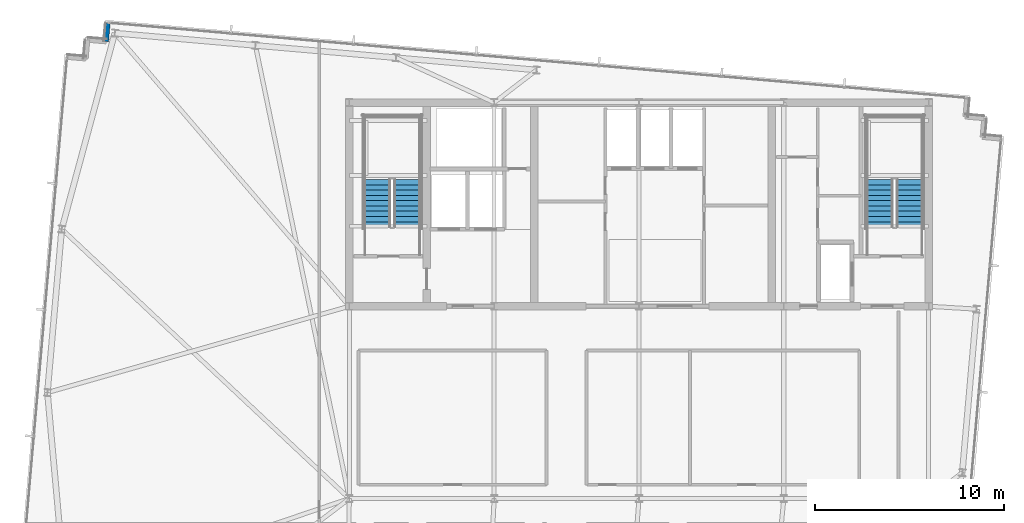
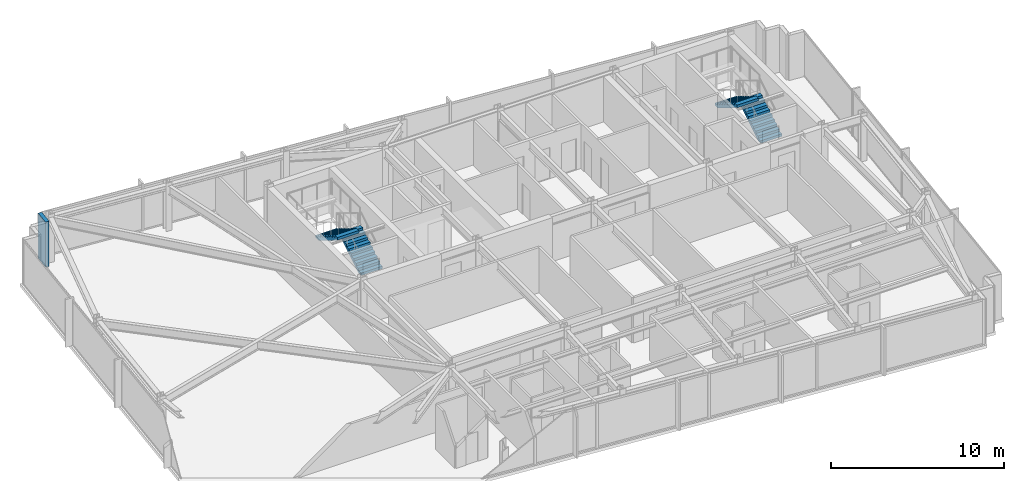
# One storey, part 29 of 33: 4 stair flights, 1 wall, 2 elements without a shape of their own.
"""IFC4 building model written with IfcOpenShell, lengths in metres."""

from ifc_helpers import new_model, si_unit, direction, frame, frame_2d, origin, place, context, subcontext, project, spatial, polyline, rectangle, outline, extrude, material, layer, layer_set, type_object, element, aggregate, save


model = new_model("IFC4")

# Units and contexts
model_context = context("Model", 3, precision=1e-05, world=origin(), true_north=direction((0.0, 1.0)))
body_context = subcontext(model_context, "Body", "Model", "MODEL_VIEW")
ifc_project = project(units=[si_unit("LENGTHUNIT", "METRE"), si_unit("AREAUNIT", "SQUARE_METRE"), si_unit("VOLUMEUNIT", "CUBIC_METRE"), si_unit("PLANEANGLEUNIT", "RADIAN"), si_unit("MASSUNIT", "GRAM", prefix="KILO")], contexts=[model_context])

# Site, building, storey
site_placement = place(None, origin())
site = spatial("IfcSite", under=ifc_project, at=site_placement, CompositionType="ELEMENT")
building_placement = place(site_placement, origin())
building = spatial("IfcBuilding", under=site, at=building_placement, Name="Yelkora Congress Tower", CompositionType="ELEMENT")
storey_placement = place(building_placement, frame((0.0, 0.0, 282.89990234375)))
storey = spatial("IfcBuildingStorey", under=building, at=storey_placement, Name="L79", CompositionType="ELEMENT", Elevation=282.89990234375)

# Wall
ifc_material = material(Name="Concrete C40/50", Category="concrete")
ifc_layer = layer(ifc_material, 0.239990234375)
ifc_layer_set = layer_set([ifc_layer], Name="Concrete C40/50")
wall_type = type_object("IfcWallType", Name="WALL-EXT-LIMESTONE-240", PredefinedType="SOLIDWALL", material=ifc_layer_set)
wall_placement = place(storey_placement, frame((10.15283203125, 49.431640625, 0.0), z_axis=(0.0, 0.0, 1.0), x_axis=(0.087166950281, 0.996193717496, 0.0)))
element("IfcWall", 1, at=wall_placement, inside=storey, type_object=wall_type, Name="L79 Serrated Corner Limestone Pier 9", PredefinedType="SOLIDWALL", context=body_context, shape_type="SweptSolid", body=[
    extrude(rectangle(XDim=1.0, YDim=0.239990234375, at=frame_2d((0.5, 0.0))), origin(), (0.0, 0.0, 1.0), 3.18017578125),
])

# Stair, stair flights
stair_type = type_object("IfcStairType", Name="STAIR-HT-1420-R20-170", PredefinedType="HALF_TURN_STAIR", material=ifc_material)
stair_1_placement = place(storey_placement, origin())
stair_1 = element("IfcStair", 2, at=stair_1_placement, inside=storey, type_object=stair_type, Name="West Core Protected Exit Stair ST-01 (L79)", PredefinedType="HALF_TURN_STAIR")
stair_flight_type = type_object("IfcStairFlightType", Name="FLIGHT-1420-N10-R170-G280", PredefinedType="STRAIGHT", material=ifc_material)
stair_flight_1_placement = place(storey_placement, frame((26.110107421875, 39.60009765625, 0.0), z_axis=(0.0, 0.0, 1.0), x_axis=(0.0, 1.0, 0.0)))
stair_flight_1 = element("IfcStairFlight", 3, at=stair_flight_1_placement, type_object=stair_flight_type, Name="ST-01 L79 Flight 1", NumberOfRisers=10, NumberOfTreads=9, PredefinedType="STRAIGHT", RiserHeight=0.17, TreadLength=0.28, context=body_context, shape_type="SweptSolid", body=[
    extrude(outline(polyline([(0.0, 0.0), (0.0, 0.169921875), (0.280029296875, 0.169921875), (0.280029296875, 0.340087890625), (0.56005859375, 0.340087890625), (0.56005859375, 0.510009765625), (0.840087890625, 0.510009765625), (0.840087890625, 0.679931640625), (1.1201171875, 0.679931640625), (1.1201171875, 0.85009765625), (1.39990234375, 0.85009765625), (1.39990234375, 1.02001953125), (1.679931640625, 1.02001953125), (1.679931640625, 1.18994140625), (1.9599609375, 1.18994140625), (1.9599609375, 1.360107421875), (2.239990234375, 1.360107421875), (2.239990234375, 1.530029296875), (2.52001953125, 1.530029296875), (2.52001953125, 1.699951171875), (2.52001953125, 1.343017578125), (0.30810546875, 0.0), (0.0, 0.0)])), frame((0.0, 0.7099609375, 0.0), z_axis=(0.0, -1.0, 0.0), x_axis=(1.0, 0.0, 0.0)), (0.0, 0.0, 1.0), 1.419921875),
])
stair_flight_2_placement = place(storey_placement, frame((24.530029296875, 42.1201171875, 1.7001953125), z_axis=(0.0, 0.0, 1.0), x_axis=(0.0, -1.0, 0.0)))
stair_flight_2 = element("IfcStairFlight", 4, at=stair_flight_2_placement, type_object=stair_flight_type, Name="ST-01 L79 Flight 2", NumberOfRisers=10, NumberOfTreads=9, PredefinedType="STRAIGHT", RiserHeight=0.17, TreadLength=0.28, context=body_context, shape_type="SweptSolid", body=[
    extrude(outline(polyline([(0.0, 0.0), (0.0, 0.169921875), (0.280029296875, 0.169921875), (0.280029296875, 0.340087890625), (0.56005859375, 0.340087890625), (0.56005859375, 0.510009765625), (0.840087890625, 0.510009765625), (0.840087890625, 0.679931640625), (1.1201171875, 0.679931640625), (1.1201171875, 0.85009765625), (1.39990234375, 0.85009765625), (1.39990234375, 1.02001953125), (1.679931640625, 1.02001953125), (1.679931640625, 1.18994140625), (1.9599609375, 1.18994140625), (1.9599609375, 1.360107421875), (2.239990234375, 1.360107421875), (2.239990234375, 1.530029296875), (2.52001953125, 1.530029296875), (2.52001953125, 1.699951171875), (2.52001953125, 1.343017578125), (0.30810546875, 0.0), (0.0, 0.0)])), frame((0.0, 0.7099609375, 0.0), z_axis=(0.0, -1.0, 0.0), x_axis=(1.0, 0.0, 0.0)), (0.0, 0.0, 1.0), 1.419921875),
])
aggregate(stair_1, [stair_flight_1, stair_flight_2])

stair_2_placement = place(storey_placement, origin())
stair_2 = element("IfcStair", 5, at=stair_2_placement, inside=storey, type_object=stair_type, Name="East Core Protected Exit Stair ST-02 (L79)", PredefinedType="HALF_TURN_STAIR")
stair_flight_3_placement = place(storey_placement, frame((52.75, 39.60009765625, 0.0), z_axis=(0.0, 0.0, 1.0), x_axis=(0.0, 1.0, 0.0)))
stair_flight_3 = element("IfcStairFlight", 6, at=stair_flight_3_placement, type_object=stair_flight_type, Name="ST-02 L79 Flight 1", NumberOfRisers=10, NumberOfTreads=9, PredefinedType="STRAIGHT", RiserHeight=0.17, TreadLength=0.28, context=body_context, shape_type="SweptSolid", body=[
    extrude(outline(polyline([(0.0, 0.0), (0.0, 0.169921875), (0.280029296875, 0.169921875), (0.280029296875, 0.340087890625), (0.56005859375, 0.340087890625), (0.56005859375, 0.510009765625), (0.840087890625, 0.510009765625), (0.840087890625, 0.679931640625), (1.1201171875, 0.679931640625), (1.1201171875, 0.85009765625), (1.39990234375, 0.85009765625), (1.39990234375, 1.02001953125), (1.679931640625, 1.02001953125), (1.679931640625, 1.18994140625), (1.9599609375, 1.18994140625), (1.9599609375, 1.360107421875), (2.239990234375, 1.360107421875), (2.239990234375, 1.530029296875), (2.52001953125, 1.530029296875), (2.52001953125, 1.699951171875), (2.52001953125, 1.343017578125), (0.30810546875, 0.0), (0.0, 0.0)])), frame((0.0, 0.7099609375, 0.0), z_axis=(0.0, -1.0, 0.0), x_axis=(1.0, 0.0, 0.0)), (0.0, 0.0, 1.0), 1.419921875),
])
stair_flight_4_placement = place(storey_placement, frame((51.169921875, 42.1201171875, 1.7001953125), z_axis=(0.0, 0.0, 1.0), x_axis=(0.0, -1.0, 0.0)))
stair_flight_4 = element("IfcStairFlight", 7, at=stair_flight_4_placement, type_object=stair_flight_type, Name="ST-02 L79 Flight 2", NumberOfRisers=10, NumberOfTreads=9, PredefinedType="STRAIGHT", RiserHeight=0.17, TreadLength=0.28, context=body_context, shape_type="SweptSolid", body=[
    extrude(outline(polyline([(0.0, 0.0), (0.0, 0.169921875), (0.280029296875, 0.169921875), (0.280029296875, 0.340087890625), (0.56005859375, 0.340087890625), (0.56005859375, 0.510009765625), (0.840087890625, 0.510009765625), (0.840087890625, 0.679931640625), (1.1201171875, 0.679931640625), (1.1201171875, 0.85009765625), (1.39990234375, 0.85009765625), (1.39990234375, 1.02001953125), (1.679931640625, 1.02001953125), (1.679931640625, 1.18994140625), (1.9599609375, 1.18994140625), (1.9599609375, 1.360107421875), (2.239990234375, 1.360107421875), (2.239990234375, 1.530029296875), (2.52001953125, 1.530029296875), (2.52001953125, 1.699951171875), (2.52001953125, 1.343017578125), (0.30810546875, 0.0), (0.0, 0.0)])), frame((0.0, 0.7099609375, 0.0), z_axis=(0.0, -1.0, 0.0), x_axis=(1.0, 0.0, 0.0)), (0.0, 0.0, 1.0), 1.419921875),
])
aggregate(stair_2, [stair_flight_3, stair_flight_4])

save(model, "model.ifc")
